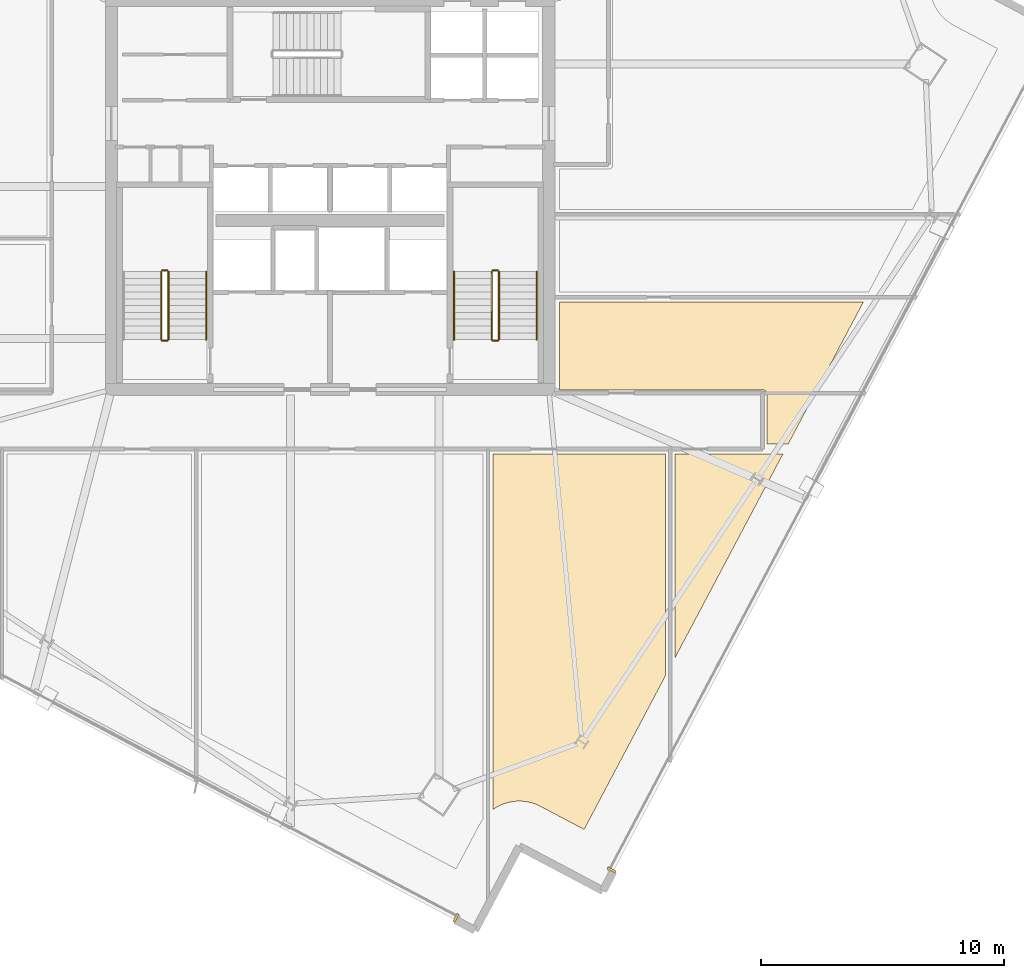
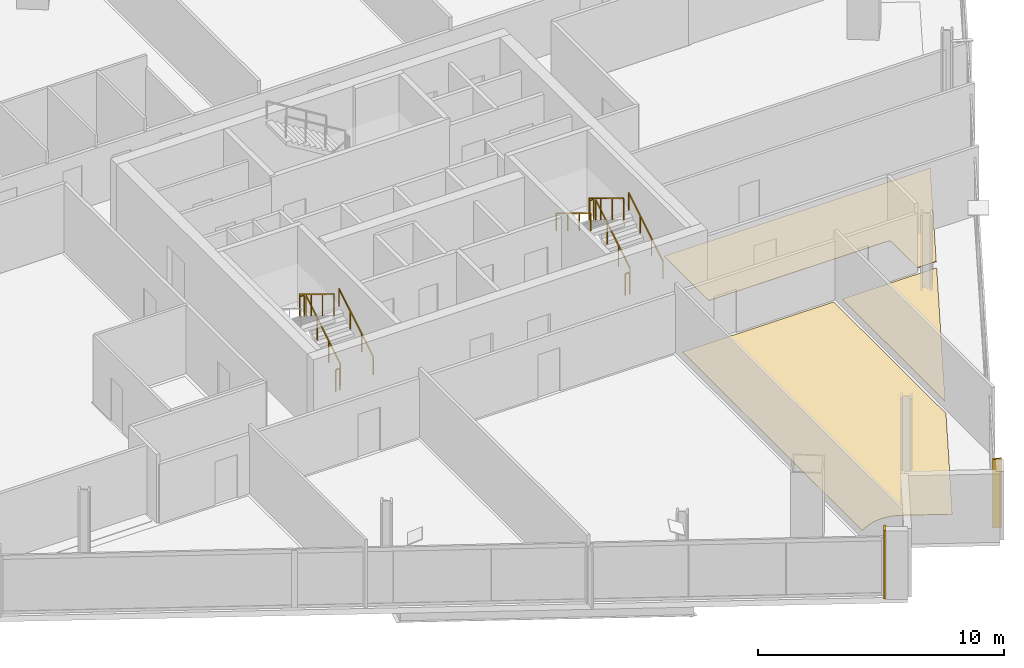
# One storey, part 25 of 28: 11 railings, 5 coverings.
"""IFC4 building model written with IfcOpenShell, lengths in metres."""

import ifcopenshell
import ifcopenshell.guid

model = None  # the IFC model being written
_history = None  # IfcOwnerHistory: only IFC2X3 demands one
_inside = {}  # id of a spatial element -> (the spatial element, [elements in it])
_under = {}  # id of a project, library or spatial element -> (it, [spatial elements below it])
_declared = {}  # id of a project -> (the project, [libraries it declares])
_typed = {}  # id of a type object -> (the type object, [elements of that type])
_made_of = {}  # id of a material, layer set ... -> (it, [elements and type objects made of it])


def new_model(schema):
    """Start an empty IFC model of exactly this schema.

    Asked for "IFC4X3", IfcOpenShell would pick the latest addendum, in which some entities
    have other attributes; the version numbers below select the first issue.
    IFC2X3 requires an IfcOwnerHistory on every rooted entity: one is made here for all.
    """
    global model, _history
    if schema == "IFC4X3":
        model = ifcopenshell.file(schema_version=(4, 3, 0, 0))
    else:
        model = ifcopenshell.file(schema=schema)
    _inside.clear()
    _under.clear()
    _declared.clear()
    _typed.clear()
    _made_of.clear()
    _history = None
    if model.schema == "IFC2X3":
        org = make("IfcOrganization", Name="unknown")
        user = make(
            "IfcPersonAndOrganization",
            ThePerson=make("IfcPerson", FamilyName="unknown"),
            TheOrganization=org,
        )
        app = make(
            "IfcApplication",
            ApplicationDeveloper=org,
            Version="unknown",
            ApplicationFullName="unknown",
            ApplicationIdentifier="unknown",
        )
        _history = make(
            "IfcOwnerHistory",
            OwningUser=user,
            OwningApplication=app,
            ChangeAction="ADDED",
            CreationDate=0,
        )
    return model


def make(cls, **values):
    """One entity of the class cls with the attributes given. An attribute that is None is left unset."""
    return model.create_entity(
        cls, **{name: value for name, value in values.items() if value is not None}
    )


def rooted(cls, **values):
    """An entity with a GlobalId (a new one), such as an element, a storey or a relation."""
    return make(cls, GlobalId=ifcopenshell.guid.new(), OwnerHistory=_history, **values)


def si_unit(unit_type, name, prefix=None):
    """IfcSIUnit, for example si_unit("LENGTHUNIT", "METRE", prefix="MILLI")."""
    return make("IfcSIUnit", UnitType=unit_type, Prefix=prefix, Name=name)


def assignment(units):
    """IfcUnitAssignment: the units of a project."""
    return None if units is None else make("IfcUnitAssignment", Units=units)


def point(xyz):
    """IfcCartesianPoint."""
    return None if xyz is None else make("IfcCartesianPoint", Coordinates=xyz)


def direction(xyz):
    """IfcDirection."""
    return None if xyz is None else make("IfcDirection", DirectionRatios=xyz)


def frame(location, z_axis=None, x_axis=None):
    """IfcAxis2Placement3D, a coordinate frame: its origin and axes. An axis left out is left unset."""
    return make(
        "IfcAxis2Placement3D",
        Location=point(location),
        Axis=direction(z_axis),
        RefDirection=direction(x_axis),
    )


def frame_2d(location, x_axis=None):
    """IfcAxis2Placement2D, a coordinate frame in the plane: its origin and x axis."""
    return make(
        "IfcAxis2Placement2D", Location=point(location), RefDirection=direction(x_axis)
    )


def origin():
    """The frame at (0, 0, 0) with its axes left unset."""
    return frame((0.0, 0.0, 0.0))


def origin_2d():
    """The frame at (0, 0) in the plane with its x axis left unset."""
    return frame_2d((0.0, 0.0))


def place(relative_to, where):
    """IfcLocalPlacement: puts the frame where relative to a parent placement (None: the world)."""
    return make(
        "IfcLocalPlacement", PlacementRelTo=relative_to, RelativePlacement=where
    )


def context(
    kind, dimensions, precision=None, world=None, true_north=None, identifier=None
):
    """IfcGeometricRepresentationContext, for example the 3D "Model" context."""
    return make(
        "IfcGeometricRepresentationContext",
        ContextIdentifier=identifier,
        ContextType=kind,
        CoordinateSpaceDimension=dimensions,
        Precision=precision,
        WorldCoordinateSystem=world,
        TrueNorth=true_north,
    )


def subcontext(parent, identifier, kind, view, scale=None):
    """IfcGeometricRepresentationSubContext, for example "Body" below "Model"."""
    return make(
        "IfcGeometricRepresentationSubContext",
        ContextIdentifier=identifier,
        ContextType=kind,
        ParentContext=parent,
        TargetScale=scale,
        TargetView=view,
    )


def project(units=None, contexts=None):
    """IfcProject with its units and contexts."""
    return rooted(
        "IfcProject",
        Name="project",
        RepresentationContexts=contexts,
        UnitsInContext=assignment(units),
    )


def spatial(cls, under=None, at=None, **own):
    """A site, building, storey or space (cls), placed at a placement, below another one or the project."""
    s = rooted(cls, ObjectPlacement=at, **own)
    if under is not None:
        _under.setdefault(under.id(), (under, []))[1].append(s)
    return s


def polyline(points):
    """IfcPolyline through the points."""
    return make("IfcPolyline", Points=[point(p) for p in points])


def profile(cls, at=None, kind="AREA", **sizes):
    """A parametric profile (cls). Its sizes go by their IFC names, for example OverallWidth=200.0."""
    return make(cls, ProfileType=kind, Position=at, **sizes)


def rectangle(**sizes):
    """IfcRectangleProfileDef."""
    return profile("IfcRectangleProfileDef", **sizes)


def outline(outer, holes=None, kind="AREA"):
    """IfcArbitraryClosedProfileDef: a profile drawn as a closed curve; with holes, ...WithVoids."""
    if holes is None:
        return make("IfcArbitraryClosedProfileDef", ProfileType=kind, OuterCurve=outer)
    return make(
        "IfcArbitraryProfileDefWithVoids",
        ProfileType=kind,
        OuterCurve=outer,
        InnerCurves=holes,
    )


def extrude(swept, where, along, depth):
    """IfcExtrudedAreaSolid: the profile swept, set in the frame where, extruded along a direction by depth."""
    return make(
        "IfcExtrudedAreaSolid",
        SweptArea=swept,
        Position=where,
        ExtrudedDirection=direction(along),
        Depth=depth,
    )


def shape(context_of_items, identifier, shape_type, items):
    """IfcShapeRepresentation: the items that make up one representation, for example the "Body"."""
    return make(
        "IfcShapeRepresentation",
        ContextOfItems=context_of_items,
        RepresentationIdentifier=identifier,
        RepresentationType=shape_type,
        Items=items,
    )


def source(mapping_origin, context_of_items, identifier, shape_type, items):
    """IfcRepresentationMap: a shape defined once, which mapped items show again and again."""
    return make(
        "IfcRepresentationMap",
        MappingOrigin=mapping_origin,
        MappedRepresentation=shape(context_of_items, identifier, shape_type, items),
    )


def transform(
    local_origin,
    x_axis=None,
    y_axis=None,
    z_axis=None,
    scale=None,
    scale2=None,
    scale3=None,
    uniform=True,
):
    """IfcCartesianTransformationOperator3D, or its non-uniform kind. x_axis, y_axis, z_axis: its Axis1, 2, 3."""
    if uniform:
        return make(
            "IfcCartesianTransformationOperator3D",
            Axis1=direction(x_axis),
            Axis2=direction(y_axis),
            LocalOrigin=point(local_origin),
            Scale=scale,
            Axis3=direction(z_axis),
        )
    return make(
        "IfcCartesianTransformationOperator3DnonUniform",
        Axis1=direction(x_axis),
        Axis2=direction(y_axis),
        LocalOrigin=point(local_origin),
        Scale=scale,
        Axis3=direction(z_axis),
        Scale2=scale2,
        Scale3=scale3,
    )


def mapped(mapping_source, mapping_target):
    """IfcMappedItem: shows the shape of a source again, moved by a transform."""
    return make(
        "IfcMappedItem", MappingSource=mapping_source, MappingTarget=mapping_target
    )


def material(Name=None, Category=None):
    """IfcMaterial."""
    return make("IfcMaterial", Name=Name, Category=Category)


def layer(
    of_material, thickness, ventilated=None, Name=None, Category=None, Priority=None
):
    """IfcMaterialLayer: one layer of a wall or slab, of a material (None: an air gap)."""
    return make(
        "IfcMaterialLayer",
        Material=of_material,
        LayerThickness=thickness,
        IsVentilated=ventilated,
        Name=Name,
        Category=Category,
        Priority=Priority,
    )


def layer_set(layers, Name=None):
    """IfcMaterialLayerSet."""
    return make("IfcMaterialLayerSet", MaterialLayers=layers, LayerSetName=Name)


def made_of(thing, what):
    """Note that an element or type object is made of a material, layer set ...; save() writes the relation."""
    if what is not None:
        _made_of.setdefault(what.id(), (what, []))[1].append(thing)
    return thing


def type_object(cls, material=None, **own):
    """A type object (cls), such as IfcWallType, which elements share."""
    return made_of(rooted(cls, **own), material)


def element(
    cls,
    number,
    at=None,
    inside=None,
    cuts=None,
    type_object=None,
    material=None,
    context=None,
    identifier="Body",
    shape_type=None,
    held_by="IfcProductDefinitionShape",
    body=None,
    shapes=None,
    **own,
):
    """One element of the class cls, such as IfcWall. Its Tag is "e" and its number.

    at: its placement. inside: the storey or other place that contains it. cuts: it is an
    opening in that element (IfcRelVoidsElement). A single representation is given by context,
    identifier, shape_type and body (its items); several are given by shapes. held_by: the class
    of the entity that holds the representations. save() writes the other relations.
    """
    e = rooted(cls, Tag="e%d" % number, ObjectPlacement=at, **own)
    if body is not None:
        shapes = [shape(context, identifier, shape_type, body)]
    if shapes is not None:
        e.Representation = make(held_by, Representations=shapes)
    if inside is not None:
        _inside.setdefault(inside.id(), (inside, []))[1].append(e)
    if cuts is not None:
        rooted(
            "IfcRelVoidsElement", RelatingBuildingElement=cuts, RelatedOpeningElement=e
        )
    if type_object is not None:
        _typed.setdefault(type_object.id(), (type_object, []))[1].append(e)
    return made_of(e, material)


def aggregate(whole, parts):
    """IfcRelAggregates: a whole, such as a stair, and the parts it consists of."""
    return rooted("IfcRelAggregates", RelatingObject=whole, RelatedObjects=parts)


def save(model, path):
    """Write the relations noted so far, then the file.

    IfcRelAggregates (storeys below a building ...), IfcRelContainedInSpatialStructure (elements
    in a storey), IfcRelDefinesByType, IfcRelAssociatesMaterial and IfcRelDeclares: one each for
    every whole, place, type object, material and project.
    """
    for whole, parts in _under.values():
        aggregate(whole, parts)
    for where, things in _inside.values():
        rooted(
            "IfcRelContainedInSpatialStructure",
            RelatedElements=things,
            RelatingStructure=where,
        )
    for kind, things in _typed.values():
        rooted("IfcRelDefinesByType", RelatedObjects=things, RelatingType=kind)
    for what, things in _made_of.values():
        rooted("IfcRelAssociatesMaterial", RelatedObjects=things, RelatingMaterial=what)
    for by, libraries in _declared.values():
        rooted("IfcRelDeclares", RelatingContext=by, RelatedDefinitions=libraries)
    model.write(path)


model = new_model("IFC4")

# Units and contexts
model_context = context("Model", 3, precision=1e-05, world=origin(), true_north=direction((0.0, 1.0)))
body_context = subcontext(model_context, "Body", "Model", "MODEL_VIEW")
ifc_project = project(units=[si_unit("LENGTHUNIT", "METRE"), si_unit("AREAUNIT", "SQUARE_METRE"), si_unit("VOLUMEUNIT", "CUBIC_METRE"), si_unit("PLANEANGLEUNIT", "RADIAN"), si_unit("MASSUNIT", "GRAM", prefix="KILO")], contexts=[model_context])

# Site, building, storey
site_placement = place(None, origin())
site = spatial("IfcSite", under=ifc_project, at=site_placement, CompositionType="ELEMENT")
building_placement = place(site_placement, origin())
building = spatial("IfcBuilding", under=site, at=building_placement, Name="Haldenkirk Collegiate Tower", CompositionType="ELEMENT")
storey_placement = place(building_placement, frame((0.0, 0.0, 235.949951171875)))
storey = spatial("IfcBuildingStorey", under=building, at=storey_placement, Name="L59", CompositionType="ELEMENT", Elevation=235.949951171875)

# Coverings
ifc_material_1 = material(Name="Polished collegiate terrazzo", Category="concrete")
ifc_layer_1 = layer(ifc_material_1, 0.02490234375)
ifc_layer_set_1 = layer_set([ifc_layer_1], Name="Polished collegiate terrazzo")
covering_type_1 = type_object("IfcCoveringType", Name="COV-FLOOR-TERRAZZO", PredefinedType="FLOORING", material=ifc_layer_set_1)
covering_1_placement = place(storey_placement, origin())
element("IfcCovering", 1, at=covering_1_placement, inside=storey, type_object=covering_type_1, Name="L59 academic room finish 06", PredefinedType="FLOORING", context=body_context, shape_type="SweptSolid", body=[
    extrude(outline(polyline([(50.199951171875, 6.96826171875), (50.199951171875, 15.35009765625), (54.637939453125, 15.35009765625), (50.199951171875, 6.96826171875)])), origin(), (0.0, 0.0, 1.0), 0.025146484375),
])
ifc_material_2 = material(Name="Engineered collegiate oak acoustic flooring", Category="wood")
ifc_layer_2 = layer(ifc_material_2, 0.02197265625)
ifc_layer_set_2 = layer_set([ifc_layer_2], Name="Engineered collegiate oak acoustic flooring")
covering_type_2 = type_object("IfcCoveringType", Name="COV-FLOOR-TIMBER", PredefinedType="FLOORING", material=ifc_layer_set_2)
covering_2_placement = place(storey_placement, origin())
element("IfcCovering", 2, at=covering_2_placement, inside=storey, type_object=covering_type_2, Name="L59 academic room finish 05", PredefinedType="FLOORING", context=body_context, shape_type="SweptSolid", body=[
    extrude(outline(polyline([(42.699951171875, 0.7119140625), (42.699951171875, 15.35009765625), (49.800048828125, 15.35009765625), (49.800048828125, 6.212890625), (46.4541015625, -0.106201171875), (44.660400390625, 0.843505859375), (44.655029296875, 0.84619140625), (44.49951171875, 0.919189453125), (44.488525390625, 0.923583984375), (44.32666015625, 0.980712890625), (44.3154296875, 0.984130859375), (44.148681640625, 1.025146484375), (44.136962890625, 1.027587890625), (43.967041015625, 1.052001953125), (43.955322265625, 1.052978515625), (43.783935546875, 1.060791015625), (43.77197265625, 1.060791015625), (43.6005859375, 1.0517578125), (43.5888671875, 1.050537109375), (43.4189453125, 1.024658203125), (43.407470703125, 1.022216796875), (43.2412109375, 0.97998046875), (43.22998046875, 0.976318359375), (43.068359375, 0.91796875), (43.057373046875, 0.91357421875), (42.90234375, 0.83935546875), (42.89208984375, 0.833740234375), (42.7451171875, 0.7451171875), (42.7353515625, 0.73828125), (42.699951171875, 0.7119140625)])), origin(), (0.0, 0.0, 1.0), 0.02197265625),
])
covering_3_placement = place(storey_placement, origin())
element("IfcCovering", 3, at=covering_3_placement, inside=storey, type_object=covering_type_2, Name="L59 academic room finish 11", PredefinedType="FLOORING", context=body_context, shape_type="SweptSolid", body=[
    extrude(outline(polyline([(45.449951171875, 17.969970703125), (45.449951171875, 21.60009765625), (57.947021484375, 21.60009765625), (54.849609375, 15.75), (53.969970703125, 15.75), (53.969970703125, 17.85009765625), (53.969482421875, 17.86181640625), (53.9677734375, 17.873291015625), (53.96484375, 17.884765625), (53.9609375, 17.89599609375), (53.955810546875, 17.906494140625), (53.94970703125, 17.916748046875), (53.94287109375, 17.926025390625), (53.934814453125, 17.934814453125), (53.926025390625, 17.94287109375), (53.916748046875, 17.94970703125), (53.906494140625, 17.955810546875), (53.89599609375, 17.9609375), (53.884765625, 17.96484375), (53.873291015625, 17.9677734375), (53.86181640625, 17.969482421875), (53.85009765625, 17.969970703125), (45.449951171875, 17.969970703125)])), origin(), (0.0, 0.0, 1.0), 0.02197265625),
])

# Railings
ifc_material_3 = material(Name="Painted architectural tubular steel", Category="steel")
railing_type_1 = type_object("IfcRailingType", Name="RLG-STAIR-GUARD-1100", PredefinedType="BALUSTRADE", material=ifc_material_3)
railing_1_placement = place(storey_placement, frame((29.35009765625, 20.050048828125, 0.17041015625)))
element("IfcRailing", 4, at=railing_1_placement, inside=storey, type_object=railing_type_1, Name="L59 ST-1 stair guard 1", PredefinedType="BALUSTRADE", context=body_context, shape_type="SweptSolid", body=[
    extrude(rectangle(XDim=0.048095703125, YDim=0.048095703125, at=origin_2d()), frame((0.0, 0.0, 1.076171875), z_axis=(0.0, 0.854169791009, 0.51999420009), x_axis=(-1.0, 0.0, 0.0)), (0.0, 0.0, 1.0), 3.278076171875),
    extrude(rectangle(XDim=0.0419921875, YDim=0.0419921875, at=origin_2d()), origin(), (0.0, 0.0, 1.0), 1.052001953125),
    extrude(rectangle(XDim=0.0419921875, YDim=0.0419921875, at=origin_2d()), frame((0.0, 0.933349609375, 0.568115234375)), (0.0, 0.0, 1.0), 1.052001953125),
    extrude(rectangle(XDim=0.0419921875, YDim=0.0419921875, at=origin_2d()), frame((0.0, 1.86669921875, 1.136474609375)), (0.0, 0.0, 1.0), 1.052001953125),
    extrude(rectangle(XDim=0.0419921875, YDim=0.0419921875, at=origin_2d()), frame((0.0, 2.800048828125, 1.70458984375)), (0.0, 0.0, 1.0), 1.052001953125),
])
railing_2_placement = place(storey_placement, frame((29.300048828125, 22.89990234375, 1.875)))
element("IfcRailing", 5, at=railing_2_placement, inside=storey, type_object=railing_type_1, Name="L59 ST-1 stair guard 2", PredefinedType="BALUSTRADE", context=body_context, shape_type="SweptSolid", body=[
    extrude(rectangle(XDim=0.048095703125, YDim=0.048095703125, at=origin_2d()), frame((0.0, 0.0, 1.076171875), z_axis=(-1.0, 0.0, 0.0), x_axis=(0.0, -1.0, 0.0)), (0.0, 0.0, 1.0), 0.199951171875),
    extrude(rectangle(XDim=0.0419921875, YDim=0.0419921875, at=origin_2d()), origin(), (0.0, 0.0, 1.0), 1.052001953125),
    extrude(rectangle(XDim=0.0419921875, YDim=0.0419921875, at=origin_2d()), frame((-0.199951171875, 0.0, 0.0)), (0.0, 0.0, 1.0), 1.052001953125),
])
railing_3_placement = place(storey_placement, frame((29.050048828125, 22.85009765625, 2.04541015625)))
element("IfcRailing", 6, at=railing_3_placement, inside=storey, type_object=railing_type_1, Name="L59 ST-1 stair guard 3", PredefinedType="BALUSTRADE", context=body_context, shape_type="SweptSolid", body=[
    extrude(rectangle(XDim=0.048095703125, YDim=0.048095703125, at=origin_2d()), frame((0.0, 0.0, 1.076171875), z_axis=(0.0, -0.854169791009, 0.51999420009), x_axis=(1.0, 0.0, 0.0)), (0.0, 0.0, 1.0), 3.278076171875),
    extrude(rectangle(XDim=0.0419921875, YDim=0.0419921875, at=origin_2d()), origin(), (0.0, 0.0, 1.0), 1.052001953125),
    extrude(rectangle(XDim=0.0419921875, YDim=0.0419921875, at=origin_2d()), frame((0.0, -0.933349609375, 0.568115234375)), (0.0, 0.0, 1.0), 1.052001953125),
    extrude(rectangle(XDim=0.0419921875, YDim=0.0419921875, at=origin_2d()), frame((0.0, -1.86669921875, 1.136474609375)), (0.0, 0.0, 1.0), 1.052001953125),
    extrude(rectangle(XDim=0.0419921875, YDim=0.0419921875, at=origin_2d()), frame((0.0, -2.800048828125, 1.70458984375)), (0.0, 0.0, 1.0), 1.052001953125),
])
railing_4_placement = place(storey_placement, frame((29.300048828125, 20.0, 0.0)))
element("IfcRailing", 7, at=railing_4_placement, inside=storey, type_object=railing_type_1, Name="L59 ST-1 stair guard 4", PredefinedType="BALUSTRADE", context=body_context, shape_type="SweptSolid", body=[
    extrude(rectangle(XDim=0.048095703125, YDim=0.048095703125, at=origin_2d()), frame((0.0, 0.0, 1.076171875), z_axis=(-1.0, 0.0, 0.0), x_axis=(0.0, -1.0, 0.0)), (0.0, 0.0, 1.0), 0.199951171875),
    extrude(rectangle(XDim=0.0419921875, YDim=0.0419921875, at=origin_2d()), origin(), (0.0, 0.0, 1.0), 1.052001953125),
    extrude(rectangle(XDim=0.0419921875, YDim=0.0419921875, at=origin_2d()), frame((-0.199951171875, 0.0, 0.0)), (0.0, 0.0, 1.0), 1.052001953125),
])
railing_5_placement = place(storey_placement, frame((42.949951171875, 20.050048828125, 0.17041015625)))
element("IfcRailing", 8, at=railing_5_placement, inside=storey, type_object=railing_type_1, Name="L59 ST-2 stair guard 1", PredefinedType="BALUSTRADE", context=body_context, shape_type="SweptSolid", body=[
    extrude(rectangle(XDim=0.048095703125, YDim=0.048095703125, at=origin_2d()), frame((0.0, 0.0, 1.076171875), z_axis=(0.0, 0.854169791009, 0.51999420009), x_axis=(-1.0, 0.0, 0.0)), (0.0, 0.0, 1.0), 3.278076171875),
    extrude(rectangle(XDim=0.0419921875, YDim=0.0419921875, at=origin_2d()), origin(), (0.0, 0.0, 1.0), 1.052001953125),
    extrude(rectangle(XDim=0.0419921875, YDim=0.0419921875, at=origin_2d()), frame((0.0, 0.933349609375, 0.568115234375)), (0.0, 0.0, 1.0), 1.052001953125),
    extrude(rectangle(XDim=0.0419921875, YDim=0.0419921875, at=origin_2d()), frame((0.0, 1.86669921875, 1.136474609375)), (0.0, 0.0, 1.0), 1.052001953125),
    extrude(rectangle(XDim=0.0419921875, YDim=0.0419921875, at=origin_2d()), frame((0.0, 2.800048828125, 1.70458984375)), (0.0, 0.0, 1.0), 1.052001953125),
])
railing_6_placement = place(storey_placement, frame((42.89990234375, 22.89990234375, 1.875)))
element("IfcRailing", 9, at=railing_6_placement, inside=storey, type_object=railing_type_1, Name="L59 ST-2 stair guard 2", PredefinedType="BALUSTRADE", context=body_context, shape_type="SweptSolid", body=[
    extrude(rectangle(XDim=0.048095703125, YDim=0.048095703125, at=origin_2d()), frame((0.0, 0.0, 1.076171875), z_axis=(-1.0, 0.0, 0.0), x_axis=(0.0, -1.0, 0.0)), (0.0, 0.0, 1.0), 0.199951171875),
    extrude(rectangle(XDim=0.0419921875, YDim=0.0419921875, at=origin_2d()), origin(), (0.0, 0.0, 1.0), 1.052001953125),
    extrude(rectangle(XDim=0.0419921875, YDim=0.0419921875, at=origin_2d()), frame((-0.199951171875, 0.0, 0.0)), (0.0, 0.0, 1.0), 1.052001953125),
])
railing_7_placement = place(storey_placement, frame((42.64990234375, 22.85009765625, 2.04541015625)))
element("IfcRailing", 10, at=railing_7_placement, inside=storey, type_object=railing_type_1, Name="L59 ST-2 stair guard 3", PredefinedType="BALUSTRADE", context=body_context, shape_type="SweptSolid", body=[
    extrude(rectangle(XDim=0.048095703125, YDim=0.048095703125, at=origin_2d()), frame((0.0, 0.0, 1.076171875), z_axis=(0.0, -0.854169791009, 0.51999420009), x_axis=(1.0, 0.0, 0.0)), (0.0, 0.0, 1.0), 3.278076171875),
    extrude(rectangle(XDim=0.0419921875, YDim=0.0419921875, at=origin_2d()), origin(), (0.0, 0.0, 1.0), 1.052001953125),
    extrude(rectangle(XDim=0.0419921875, YDim=0.0419921875, at=origin_2d()), frame((0.0, -0.933349609375, 0.568115234375)), (0.0, 0.0, 1.0), 1.052001953125),
    extrude(rectangle(XDim=0.0419921875, YDim=0.0419921875, at=origin_2d()), frame((0.0, -1.86669921875, 1.136474609375)), (0.0, 0.0, 1.0), 1.052001953125),
    extrude(rectangle(XDim=0.0419921875, YDim=0.0419921875, at=origin_2d()), frame((0.0, -2.800048828125, 1.70458984375)), (0.0, 0.0, 1.0), 1.052001953125),
])
railing_8_placement = place(storey_placement, frame((42.89990234375, 20.0, 0.0)))
element("IfcRailing", 11, at=railing_8_placement, inside=storey, type_object=railing_type_1, Name="L59 ST-2 stair guard 4", PredefinedType="BALUSTRADE", context=body_context, shape_type="SweptSolid", body=[
    extrude(rectangle(XDim=0.048095703125, YDim=0.048095703125, at=origin_2d()), frame((0.0, 0.0, 1.076171875), z_axis=(-1.0, 0.0, 0.0), x_axis=(0.0, -1.0, 0.0)), (0.0, 0.0, 1.0), 0.199951171875),
    extrude(rectangle(XDim=0.0419921875, YDim=0.0419921875, at=origin_2d()), origin(), (0.0, 0.0, 1.0), 1.052001953125),
    extrude(rectangle(XDim=0.0419921875, YDim=0.0419921875, at=origin_2d()), frame((-0.199951171875, 0.0, 0.0)), (0.0, 0.0, 1.0), 1.052001953125),
])
railing_type_2 = type_object("IfcRailingType", Name="RLG-STAIR-HANDRAIL-900", PredefinedType="HANDRAIL", material=ifc_material_3)
for number, where, name in (
    (12, (30.89990234375, 20.050048828125, 0.17041015625), "L59 ST-1 stair handrail 1"),
    (13, (44.5, 20.050048828125, 0.17041015625), "L59 ST-2 stair handrail 1"),
):
    element("IfcRailing", number, at=place(storey_placement, frame(where)), inside=storey, type_object=railing_type_2, Name=name, PredefinedType="HANDRAIL", context=body_context, shape_type="SweptSolid", body=[
        extrude(rectangle(XDim=0.048095703125, YDim=0.048095703125, at=origin_2d()), frame((0.0, 0.0, 0.8759765625), z_axis=(0.0, 0.854169791009, 0.51999420009), x_axis=(-1.0, 0.0, 0.0)), (0.0, 0.0, 1.0), 3.278076171875),
        extrude(rectangle(XDim=0.0419921875, YDim=0.0419921875, at=origin_2d()), origin(), (0.0, 0.0, 1.0), 0.851806640625),
        extrude(rectangle(XDim=0.0419921875, YDim=0.0419921875, at=origin_2d()), frame((0.0, 0.933349609375, 0.568115234375)), (0.0, 0.0, 1.0), 0.851806640625),
        extrude(rectangle(XDim=0.0419921875, YDim=0.0419921875, at=origin_2d()), frame((0.0, 1.86669921875, 1.136474609375)), (0.0, 0.0, 1.0), 0.851806640625),
        extrude(rectangle(XDim=0.0419921875, YDim=0.0419921875, at=origin_2d()), frame((0.0, 2.800048828125, 1.70458984375)), (0.0, 0.0, 1.0), 0.851806640625),
    ])
railing_9_placement = place(storey_placement, frame((41.10009765625, 22.85009765625, 2.04541015625)))
element("IfcRailing", 14, at=railing_9_placement, inside=storey, type_object=railing_type_2, Name="L59 ST-2 stair handrail 2", PredefinedType="HANDRAIL", context=body_context, shape_type="SweptSolid", body=[
    extrude(rectangle(XDim=0.048095703125, YDim=0.048095703125, at=origin_2d()), frame((0.0, 0.0, 0.8759765625), z_axis=(0.0, -0.854169791009, 0.51999420009), x_axis=(1.0, 0.0, 0.0)), (0.0, 0.0, 1.0), 3.278076171875),
    extrude(rectangle(XDim=0.0419921875, YDim=0.0419921875, at=origin_2d()), origin(), (0.0, 0.0, 1.0), 0.851806640625),
    extrude(rectangle(XDim=0.0419921875, YDim=0.0419921875, at=origin_2d()), frame((0.0, -0.933349609375, 0.568115234375)), (0.0, 0.0, 1.0), 0.851806640625),
    extrude(rectangle(XDim=0.0419921875, YDim=0.0419921875, at=origin_2d()), frame((0.0, -1.86669921875, 1.136474609375)), (0.0, 0.0, 1.0), 0.851806640625),
    extrude(rectangle(XDim=0.0419921875, YDim=0.0419921875, at=origin_2d()), frame((0.0, -2.800048828125, 1.70458984375)), (0.0, 0.0, 1.0), 0.851806640625),
])

# Coverings
ifc_material_4 = material(Name="Anodised architectural bronze aluminium", Category="aluminium")
ifc_layer_3 = layer(ifc_material_4, 0.06005859375)
ifc_layer_set_3 = layer_set([ifc_layer_3], Name="Anodised architectural bronze aluminium")
covering_type_3 = type_object("IfcCoveringType", Name="COV-CLAD-BRONZE-60", PredefinedType="CLADDING", material=ifc_layer_set_3)
shared_shape = source(origin(), body_context, "Body", "SweptSolid", [
    extrude(rectangle(XDim=0.10009765625, YDim=0.3798828125, at=origin_2d()), origin(), (0.0, 0.0, 1.0), 3.39990234375),
])
for number, where, z_axis, x_axis, name in (
    (15, (47.58740234375, -1.77001953125, 0.0), (0.0, 0.0, 1.0), (-0.467929814261, -0.883765630089, 0.0), "L59 recessed curtain-wall bronze jamb closure SJR"),
    (16, (41.180419921875, -3.740966796875, 0.0), (0.0, 0.0, 1.0), (-0.883765630089, 0.467929814261, 0.0), "L59 recessed curtain-wall bronze jamb closure WJL"),
):
    element("IfcCovering", number, at=place(storey_placement, frame(where, z_axis=z_axis, x_axis=x_axis)), inside=storey, type_object=covering_type_3, Name=name, PredefinedType="CLADDING", context=body_context, shape_type="MappedRepresentation", body=[
        mapped(shared_shape, transform((0.0, 0.0, 0.0), x_axis=(1.0, 0.0, 0.0), y_axis=(0.0, 1.0, 0.0), z_axis=(0.0, 0.0, 1.0), scale=1.0)),
    ])

save(model, "model.ifc")
